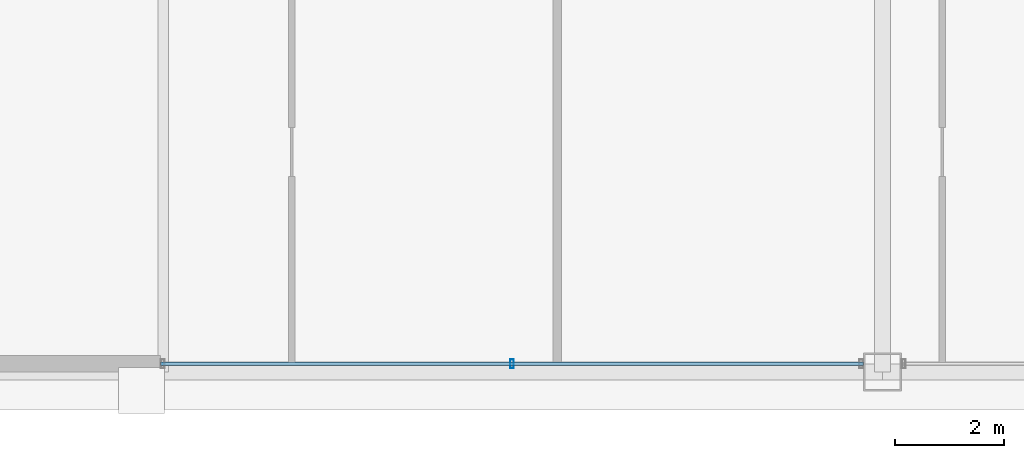
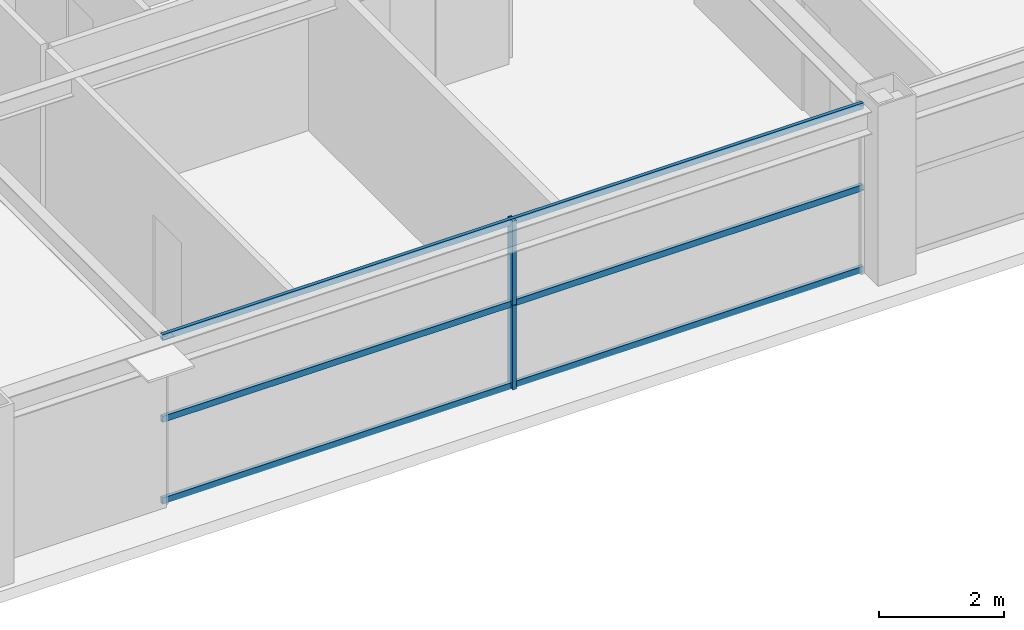
# One storey, part 5 of 37: 5 members, 1 element without a shape of its own.
"""IFC4 building model written with IfcOpenShell, lengths in metres."""

from ifc_helpers import new_model, si_unit, direction, frame, origin, origin_2d, place, context, subcontext, project, spatial, hollow_rectangle, extrude, source, transform, mapped, material, layer, layer_set, material_profile, profile_set, type_object, element, aggregate, save


model = new_model("IFC4")

# Units and contexts
model_context = context("Model", 3, precision=1e-05, world=origin(), true_north=direction((0.0, 1.0)))
body_context = subcontext(model_context, "Body", "Model", "MODEL_VIEW")
ifc_project = project(units=[si_unit("LENGTHUNIT", "METRE"), si_unit("AREAUNIT", "SQUARE_METRE"), si_unit("VOLUMEUNIT", "CUBIC_METRE"), si_unit("PLANEANGLEUNIT", "RADIAN"), si_unit("MASSUNIT", "GRAM", prefix="KILO"), si_unit("THERMODYNAMICTEMPERATUREUNIT", "KELVIN"), si_unit("POWERUNIT", "WATT")], contexts=[model_context])

# Site, building, storey
site_placement = place(None, origin())
site = spatial("IfcSite", under=ifc_project, at=site_placement, CompositionType="ELEMENT")
building_placement = place(site_placement, origin())
building = spatial("IfcBuilding", under=site, at=building_placement, Name="Yuzanri Waterfront Tower", CompositionType="ELEMENT")
storey_placement = place(building_placement, frame((0.0, 0.0, 252.10009765625)))
storey = spatial("IfcBuildingStorey", under=building, at=storey_placement, Name="L67", CompositionType="ELEMENT", Elevation=252.10009765625)

# Curtain wall, members
ifc_material_1 = material(Name="Anodized Architectural Bronze", Category="metal")
ifc_layer = layer(ifc_material_1, 0.159912109375)
ifc_layer_set = layer_set([ifc_layer], Name="Anodized Architectural Bronze")
curtain_wall_type = type_object("IfcCurtainWallType", Name="Anodized Bronze Mid-Rise Residential Acoustic Unitized Curtain Wall 7200", PredefinedType="NOTDEFINED", material=ifc_layer_set)
curtain_wall_placement = place(storey_placement, origin())
curtain_wall = element("IfcCurtainWall", 1, at=curtain_wall_placement, inside=storey, type_object=curtain_wall_type, Name="L67 Curtain Wall CW-L67-SL", PredefinedType="NOTDEFINED")
ifc_material_2 = material(Name="Anodized Architectural Bronze", Category="metal")
ifc_material_profile_1 = material_profile(ifc_material_2, hollow_rectangle(XDim=0.06494140625, YDim=0.159912109375, WallThickness=0.00341796875, at=origin_2d()), Name="CWM 65x160")
ifc_profile_set_1 = profile_set([ifc_material_profile_1], Name="Anodized Architectural Bronze")
member_type_1 = type_object("IfcMemberType", Name="Anodized Bronze Upper-Zone Curtain-Wall Mullion 65x160", PredefinedType="MULLION", material=ifc_profile_set_1)
shared_shape_1 = source(origin(), body_context, "Body", "SweptSolid", [
    extrude(hollow_rectangle(XDim=0.06494140625, YDim=0.159912109375, WallThickness=0.00341796875, at=origin_2d()), origin(), (0.0, 0.0, 1.0), 1.637939453125),
])
member_1_placement = place(storey_placement, frame((30.199951171875, 5.35009765625, 0.0), z_axis=(0.0, 0.0, 1.0), x_axis=(1.0, 0.0, 0.0)))
member_1 = element("IfcMember", 2, at=member_1_placement, type_object=member_type_1, Name="CW-L67-SL Lower Mullion 01", PredefinedType="MULLION", context=body_context, shape_type="MappedRepresentation", body=[
    mapped(shared_shape_1, transform((0.0, 0.0, 0.0), scale=1.0)),
])
member_2_placement = place(storey_placement, frame((30.199951171875, 5.35009765625, 1.641845703125), z_axis=(0.0, 0.0, 1.0), x_axis=(1.0, 0.0, 0.0)))
member_2 = element("IfcMember", 3, at=member_2_placement, type_object=member_type_1, Name="CW-L67-SL Upper Mullion 01", PredefinedType="MULLION", context=body_context, shape_type="MappedRepresentation", body=[
    mapped(shared_shape_1, transform((0.0, 0.0, 0.0), scale=1.0)),
])
ifc_material_3 = material(Name="Anodized Architectural Bronze", Category="metal")
ifc_material_profile_2 = material_profile(ifc_material_3, hollow_rectangle(XDim=0.06494140625, YDim=0.1201171875, WallThickness=0.00341796875, at=origin_2d()), Name="CWT 65x120")
ifc_profile_set_2 = profile_set([ifc_material_profile_2], Name="Anodized Architectural Bronze")
member_type_2 = type_object("IfcMemberType", Name="Anodized Bronze Secondary Curtain-Wall Transom 65x120", PredefinedType="USERDEFINED", material=ifc_profile_set_2)
shared_shape_2 = source(origin(), body_context, "Body", "SweptSolid", [
    extrude(hollow_rectangle(XDim=0.06494140625, YDim=0.1201171875, WallThickness=0.00341796875, at=origin_2d()), origin(), (0.0, 0.0, 1.0), 12.89990234375),
])
member_3_placement = place(storey_placement, frame((23.75, 5.35009765625, 0.0498046875), z_axis=(1.0, 0.0, 0.0), x_axis=(0.0, 1.0, 0.0)))
member_3 = element("IfcMember", 4, at=member_3_placement, type_object=member_type_2, Name="CW-L67-SL Transom 1", ObjectType="TRANSOM", PredefinedType="USERDEFINED", context=body_context, shape_type="MappedRepresentation", body=[
    mapped(shared_shape_2, transform((0.0, 0.0, 0.0), scale=1.0)),
])
member_4_placement = place(storey_placement, frame((23.75, 5.35009765625, 1.639892578125), z_axis=(1.0, 0.0, 0.0), x_axis=(0.0, 1.0, 0.0)))
member_4 = element("IfcMember", 5, at=member_4_placement, type_object=member_type_2, Name="CW-L67-SL Transom 2", ObjectType="TRANSOM", PredefinedType="USERDEFINED", context=body_context, shape_type="MappedRepresentation", body=[
    mapped(shared_shape_2, transform((0.0, 0.0, 0.0), scale=1.0)),
])
member_5_placement = place(storey_placement, frame((23.75, 5.35009765625, 3.22998046875), z_axis=(1.0, 0.0, 0.0), x_axis=(0.0, 1.0, 0.0)))
member_5 = element("IfcMember", 6, at=member_5_placement, type_object=member_type_2, Name="CW-L67-SL Transom 3", ObjectType="TRANSOM", PredefinedType="USERDEFINED", context=body_context, shape_type="MappedRepresentation", body=[
    mapped(shared_shape_2, transform((0.0, 0.0, 0.0), scale=1.0)),
])
aggregate(curtain_wall, [member_1, member_2, member_3, member_4, member_5])

save(model, "model.ifc")
